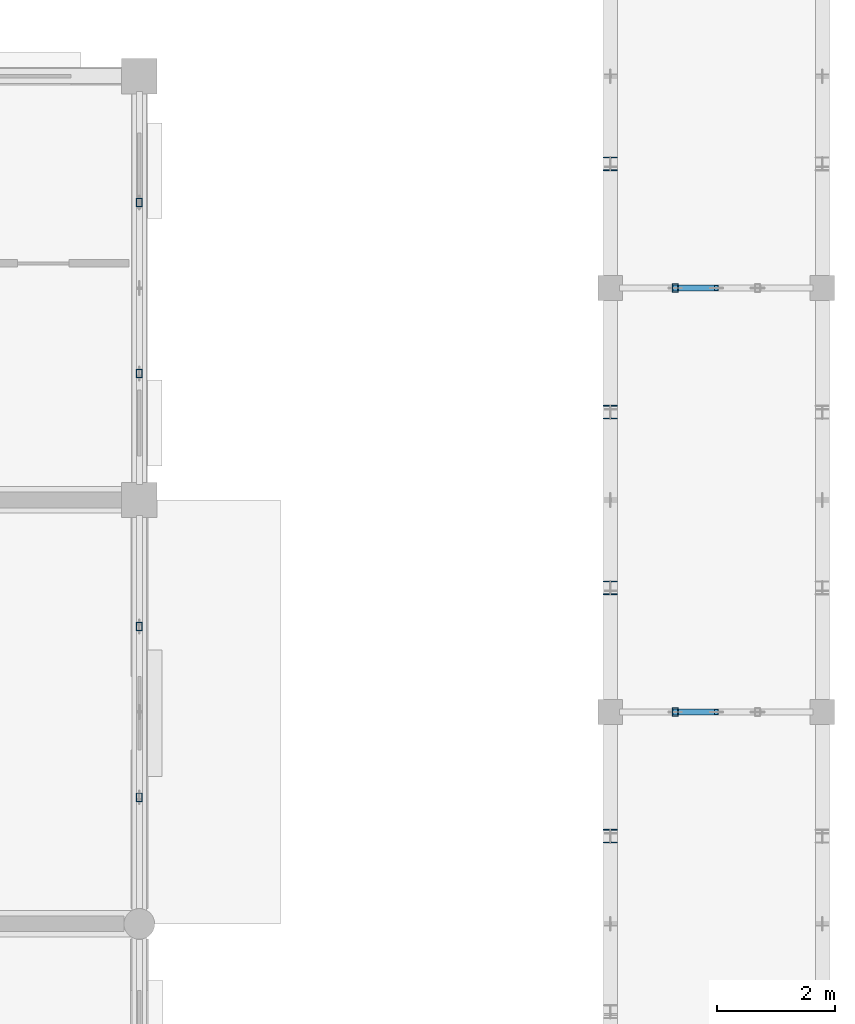
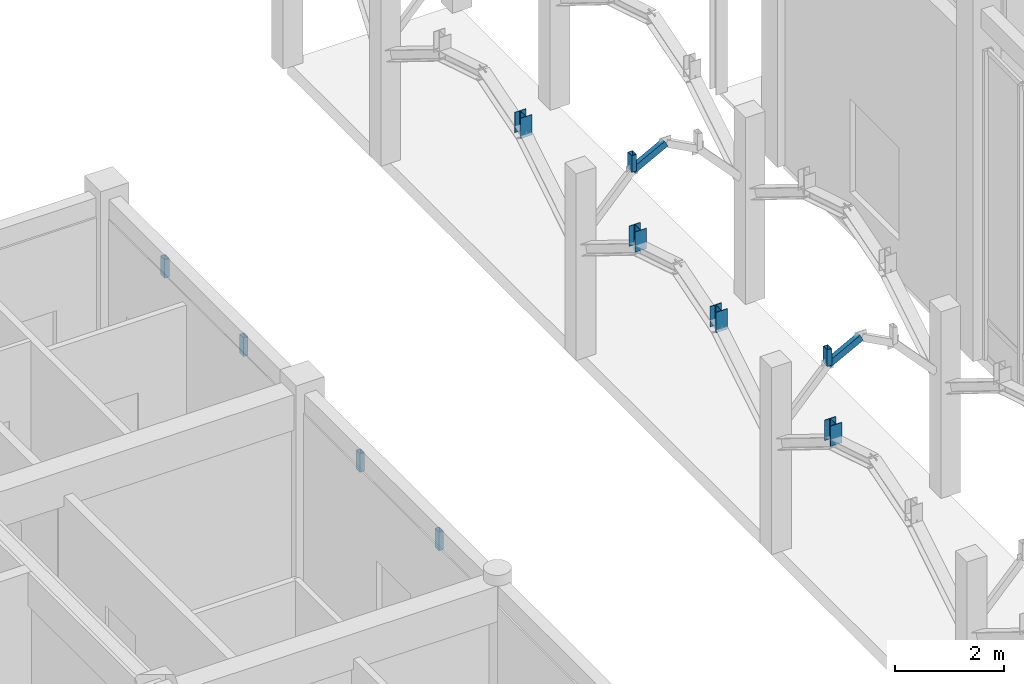
# One storey, part 45 of 138: 12 members.
"""IFC4 building model written with IfcOpenShell, lengths in metres."""

from ifc_helpers import new_model, si_unit, direction, frame, origin, origin_2d, place, context, subcontext, project, spatial, hollow_rectangle, i_section, extrude, material, material_profile, profile_set, type_object, element, save


model = new_model("IFC4")

# Units and contexts
model_context = context("Model", 3, precision=1e-05, world=origin(), true_north=direction((0.0, 1.0)))
body_context = subcontext(model_context, "Body", "Model", "MODEL_VIEW")
ifc_project = project(units=[si_unit("LENGTHUNIT", "METRE"), si_unit("AREAUNIT", "SQUARE_METRE"), si_unit("VOLUMEUNIT", "CUBIC_METRE"), si_unit("PLANEANGLEUNIT", "RADIAN"), si_unit("MASSUNIT", "GRAM", prefix="KILO"), si_unit("THERMODYNAMICTEMPERATUREUNIT", "KELVIN"), si_unit("POWERUNIT", "WATT")], contexts=[model_context])

# Site, building, storey
site_placement = place(None, origin())
site = spatial("IfcSite", under=ifc_project, at=site_placement, CompositionType="ELEMENT")
building_placement = place(site_placement, origin())
building = spatial("IfcBuilding", under=site, at=building_placement, Name="Tavuni Mirador Residences", CompositionType="ELEMENT")
storey_placement = place(building_placement, origin())
storey = spatial("IfcBuildingStorey", under=building, at=storey_placement, Name="L00", CompositionType="ELEMENT", Elevation=0.0)

# Members
ifc_material = material(Name="Structural steel S355", Category="steel")
ifc_material_profile_1 = material_profile(ifc_material, hollow_rectangle(XDim=0.10009765625, YDim=0.14990234375, WallThickness=0.008056640625, at=origin_2d()), Name="RHS 150x100x8.0", Category="steel")
ifc_profile_set_1 = profile_set([ifc_material_profile_1], Name="Structural steel S355")
member_type_1 = type_object("IfcMemberType", Name="MT-BR-RHS150", PredefinedType="BRACE", material=ifc_profile_set_1)
member_1_placement = place(storey_placement, frame((34.30029296875, 90.0, 3.70751953125), z_axis=(0.0, 0.0, 1.0), x_axis=(1.0, 0.0, 0.0)))
element("IfcMember", 1, at=member_1_placement, inside=storey, type_object=member_type_1, Name="ARCH-COLO-T-05-V1", PredefinedType="BRACE", context=body_context, shape_type="SweptSolid", body=[
    extrude(hollow_rectangle(XDim=0.10009765625, YDim=0.14990234375, WallThickness=0.008056640625, at=origin_2d()), origin(), (0.0, 0.0, 1.0), 0.37255859375),
])
member_2_placement = place(storey_placement, frame((34.30029296875, 90.0, 3.70751953125), z_axis=(0.882676699417, 0.0, 0.469980685035), x_axis=(0.0, 1.0, 0.0)))
element("IfcMember", 2, at=member_2_placement, inside=storey, type_object=member_type_1, Name="ARCH-COLO-T-05-S1", PredefinedType="BRACE", context=body_context, shape_type="SweptSolid", body=[
    extrude(hollow_rectangle(XDim=0.10009765625, YDim=0.14990234375, WallThickness=0.008056640625, at=origin_2d()), origin(), (0.0, 0.0, 1.0), 0.792724609375),
])
member_3_placement = place(storey_placement, frame((34.30029296875, 97.199951171875, 3.70751953125), z_axis=(0.0, 0.0, 1.0), x_axis=(1.0, 0.0, 0.0)))
element("IfcMember", 3, at=member_3_placement, inside=storey, type_object=member_type_1, Name="ARCH-COLO-T-06-V1", PredefinedType="BRACE", context=body_context, shape_type="SweptSolid", body=[
    extrude(hollow_rectangle(XDim=0.10009765625, YDim=0.14990234375, WallThickness=0.008056640625, at=origin_2d()), origin(), (0.0, 0.0, 1.0), 0.37255859375),
])
member_4_placement = place(storey_placement, frame((34.30029296875, 97.199951171875, 3.70751953125), z_axis=(0.882676699417, 0.0, 0.469980685035), x_axis=(0.0, 1.0, 0.0)))
element("IfcMember", 4, at=member_4_placement, inside=storey, type_object=member_type_1, Name="ARCH-COLO-T-06-S1", PredefinedType="BRACE", context=body_context, shape_type="SweptSolid", body=[
    extrude(hollow_rectangle(XDim=0.10009765625, YDim=0.14990234375, WallThickness=0.008056640625, at=origin_2d()), origin(), (0.0, 0.0, 1.0), 0.792724609375),
])
for number, where, z_axis, x_axis, name in (
    (5, (25.199951171875, 88.548095703125, 3.6298828125), (0.0, 0.0, 1.0), (1.0, 0.0, 0.0), "ARCH-BLKB-E-03-V1"),
    (6, (25.199951171875, 91.451904296875, 3.6298828125), (0.0, 0.0, 1.0), (1.0, 0.0, 0.0), "ARCH-BLKB-E-03-V2"),
    (7, (25.199951171875, 95.748046875, 3.6298828125), (0.0, 0.0, 1.0), (1.0, 0.0, 0.0), "ARCH-BLKB-E-04-V1"),
    (8, (25.199951171875, 98.652099609375, 3.6298828125), (0.0, 0.0, 1.0), (1.0, 0.0, 0.0), "ARCH-BLKB-E-04-V2"),
):
    element("IfcMember", number, at=place(storey_placement, frame(where, z_axis=z_axis, x_axis=x_axis)), inside=storey, type_object=member_type_1, Name=name, PredefinedType="BRACE", context=body_context, shape_type="SweptSolid", body=[
        extrude(hollow_rectangle(XDim=0.10009765625, YDim=0.14990234375, WallThickness=0.008056640625, at=origin_2d()), origin(), (0.0, 0.0, 1.0), 0.420166015625),
    ])
ifc_material_profile_2 = material_profile(ifc_material, i_section(OverallWidth=0.239990234375, OverallDepth=0.22998046875, WebThickness=0.007568359375, FlangeThickness=0.011962890625, FilletRadius=0.02099609375, at=origin_2d()), Name="HEA 240", Category="steel")
ifc_profile_set_2 = profile_set([ifc_material_profile_2], Name="Structural steel S355")
member_type_2 = type_object("IfcMemberType", Name="MT-CH-HEA240", PredefinedType="CHORD", material=ifc_profile_set_2)
for number, where, z_axis, x_axis, name in (
    (9, (33.199951171875, 87.8916015625, 3.62353515625), (0.0, 0.0, 1.0), (1.0, 0.0, 0.0), "ARCH-COLO-W-04-V2"),
    (10, (33.199951171875, 92.1083984375, 3.62353515625), (0.0, 0.0, 1.0), (1.0, 0.0, 0.0), "ARCH-COLO-W-05-V1"),
    (11, (33.199951171875, 95.091552734375, 3.62353515625), (0.0, 0.0, 1.0), (1.0, 0.0, 0.0), "ARCH-COLO-W-05-V2"),
    (12, (33.199951171875, 99.308349609375, 3.62353515625), (0.0, 0.0, 1.0), (1.0, 0.0, 0.0), "ARCH-COLO-W-06-V1"),
):
    element("IfcMember", number, at=place(storey_placement, frame(where, z_axis=z_axis, x_axis=x_axis)), inside=storey, type_object=member_type_2, Name=name, PredefinedType="CHORD", context=body_context, shape_type="SweptSolid", body=[
        extrude(i_section(OverallWidth=0.239990234375, OverallDepth=0.22998046875, WebThickness=0.007568359375, FlangeThickness=0.011962890625, FilletRadius=0.02099609375, at=origin_2d()), origin(), (0.0, 0.0, 1.0), 0.45654296875),
    ])

save(model, "model.ifc")
